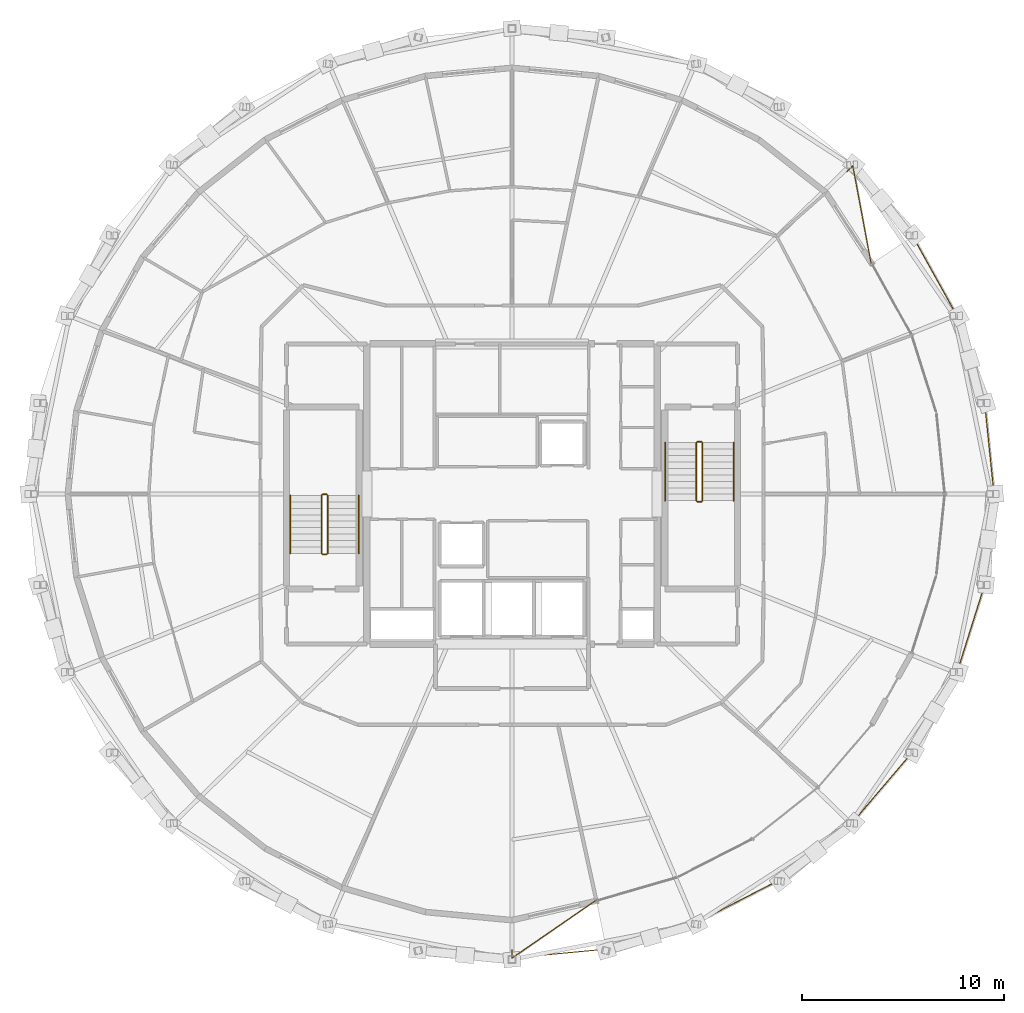
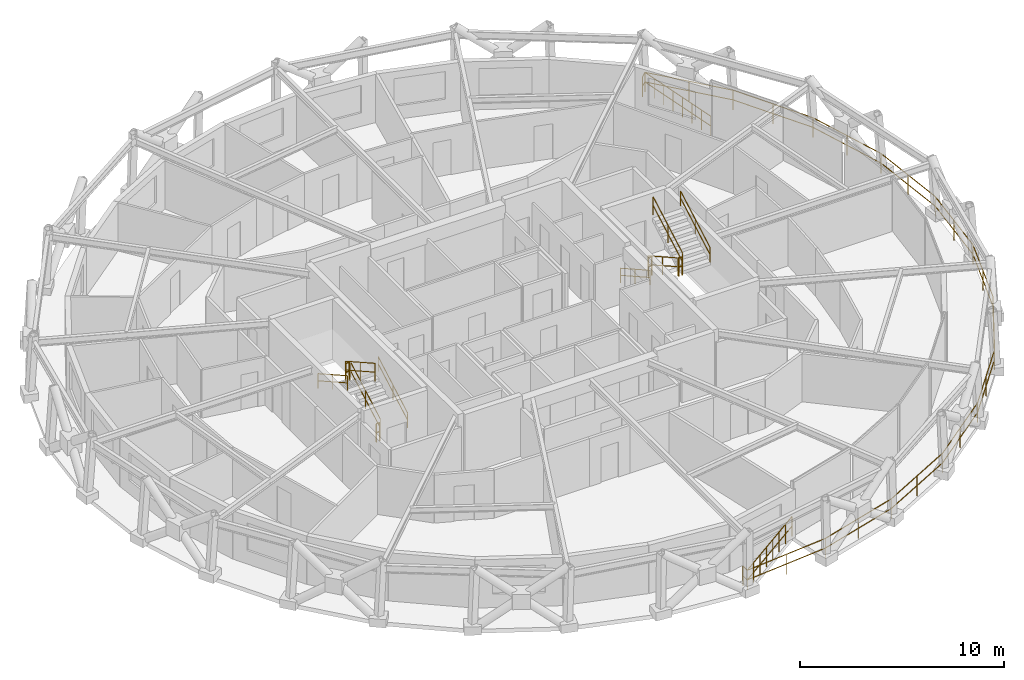
# One storey, part 17 of 17: 15 railings.
"""IFC4 building model written with IfcOpenShell, lengths in metres."""

from ifc_helpers import new_model, si_unit, direction, frame, origin, origin_2d, place, context, subcontext, project, spatial, circle, extrude, material, type_object, element, save


model = new_model("IFC4")

# Units and contexts
model_context = context("Model", 3, precision=1e-05, world=origin(), true_north=direction((0.0, 1.0)))
body_context = subcontext(model_context, "Body", "Model", "MODEL_VIEW")
ifc_project = project(units=[si_unit("LENGTHUNIT", "METRE"), si_unit("AREAUNIT", "SQUARE_METRE"), si_unit("VOLUMEUNIT", "CUBIC_METRE"), si_unit("PLANEANGLEUNIT", "RADIAN"), si_unit("MASSUNIT", "GRAM", prefix="KILO")], contexts=[model_context])

# Site, building, storey
site_placement = place(None, origin())
site = spatial("IfcSite", under=ifc_project, at=site_placement, CompositionType="ELEMENT")
building_placement = place(site_placement, origin())
building = spatial("IfcBuilding", under=site, at=building_placement, Name="Veldorina Hangang Commons", CompositionType="ELEMENT")
storey_placement = place(building_placement, frame((0.0, 0.0, 236.39990234375)))
storey = spatial("IfcBuildingStorey", under=building, at=storey_placement, Name="L61", CompositionType="ELEMENT", Elevation=236.39990234375)

# Railings
ifc_material_1 = material(Name="Glass Laminated Safety Balustrade", Category="glass")
railing_type_1 = type_object("IfcRailingType", Name="RL-BAL-LOGGIA", PredefinedType="BALUSTRADE", material=ifc_material_1)
railing_1_placement = place(storey_placement, frame((32.0, 1.393798828125, 0.0)))
element("IfcRailing", 1, at=railing_1_placement, inside=storey, type_object=railing_type_1, Name="L61 sky-garden loggia end balustrade A", PredefinedType="BALUSTRADE", context=body_context, shape_type="SweptSolid", body=[
    extrude(circle(Radius=0.02392578125, at=origin_2d()), frame((0.0, 0.0, 1.17578125), z_axis=(0.0, -1.0, 0.0), x_axis=(1.0, 0.0, 0.0)), (0.0, 0.0, 1.0), 0.419921875),
    extrude(circle(Radius=0.02392578125, at=origin_2d()), frame((0.0, 0.0, 0.60009765625), z_axis=(0.0, -1.0, 0.0), x_axis=(1.0, 0.0, 0.0)), (0.0, 0.0, 1.0), 0.419921875),
    extrude(circle(Radius=0.02392578125, at=origin_2d()), frame((0.0, -0.419921875, 1.17578125), z_axis=(0.8240531543, 0.566512487849, 0.0), x_axis=(-0.566512487849, 0.8240531543, 0.0)), (0.0, 0.0, 1.0), 5.074462890625),
    extrude(circle(Radius=0.02392578125, at=origin_2d()), frame((0.0, -0.419921875, 0.60009765625), z_axis=(0.8240531543, 0.566512487849, 0.0), x_axis=(-0.566512487849, 0.8240531543, 0.0)), (0.0, 0.0, 1.0), 5.074462890625),
    extrude(circle(Radius=0.02099609375, at=origin_2d()), origin(), (0.0, 0.0, 1.0), 1.15185546875),
    extrude(circle(Radius=0.02099609375, at=origin_2d()), frame((0.0, -0.419921875, 0.0)), (0.0, 0.0, 1.0), 1.15185546875),
    extrude(circle(Radius=0.02099609375, at=origin_2d()), frame((0.597412109375, -0.00927734375, 0.0)), (0.0, 0.0, 1.0), 1.15185546875),
    extrude(circle(Radius=0.02099609375, at=origin_2d()), frame((1.19482421875, 0.4013671875, 0.0)), (0.0, 0.0, 1.0), 1.15185546875),
    extrude(circle(Radius=0.02099609375, at=origin_2d()), frame((1.792236328125, 0.81201171875, 0.0)), (0.0, 0.0, 1.0), 1.15185546875),
    extrude(circle(Radius=0.02099609375, at=origin_2d()), frame((2.389404296875, 1.222900390625, 0.0)), (0.0, 0.0, 1.0), 1.15185546875),
    extrude(circle(Radius=0.02099609375, at=origin_2d()), frame((2.98681640625, 1.633544921875, 0.0)), (0.0, 0.0, 1.0), 1.15185546875),
    extrude(circle(Radius=0.02099609375, at=origin_2d()), frame((3.584228515625, 2.044189453125, 0.0)), (0.0, 0.0, 1.0), 1.15185546875),
    extrude(circle(Radius=0.02099609375, at=origin_2d()), frame((4.181640625, 2.454833984375, 0.0)), (0.0, 0.0, 1.0), 1.15185546875),
])
railing_2_placement = place(storey_placement, frame((48.607666015625, 39.99169921875, 0.0)))
element("IfcRailing", 2, at=railing_2_placement, inside=storey, type_object=railing_type_1, Name="L61 sky-garden loggia end balustrade B", PredefinedType="BALUSTRADE", context=body_context, shape_type="SweptSolid", body=[
    extrude(circle(Radius=0.02392578125, at=origin_2d()), frame((0.0, 0.0, 1.17578125), z_axis=(0.720632020225, 0.693317742039, 0.0), x_axis=(-0.693317742039, 0.720632020225, 0.0)), (0.0, 0.0, 1.0), 0.420166015625),
    extrude(circle(Radius=0.02392578125, at=origin_2d()), frame((0.0, 0.0, 0.60009765625), z_axis=(0.720632020225, 0.693317742039, 0.0), x_axis=(-0.693317742039, 0.720632020225, 0.0)), (0.0, 0.0, 1.0), 0.420166015625),
    extrude(circle(Radius=0.02392578125, at=origin_2d()), frame((0.302734375, 0.291259765625, 1.17578125), z_axis=(0.184318298678, -0.982866605788, 0.0), x_axis=(0.982866605788, 0.184318298678, 0.0)), (0.0, 0.0, 1.0), 4.95263671875),
    extrude(circle(Radius=0.02392578125, at=origin_2d()), frame((0.302734375, 0.291259765625, 0.60009765625), z_axis=(0.184318298678, -0.982866605788, 0.0), x_axis=(0.982866605788, 0.184318298678, 0.0)), (0.0, 0.0, 1.0), 4.95263671875),
    extrude(circle(Radius=0.02099609375, at=origin_2d()), origin(), (0.0, 0.0, 1.0), 1.15185546875),
    extrude(circle(Radius=0.02099609375, at=origin_2d()), frame((0.302734375, 0.291259765625, 0.0)), (0.0, 0.0, 1.0), 1.15185546875),
    extrude(circle(Radius=0.02099609375, at=origin_2d()), frame((0.43310546875, -0.404052734375, 0.0)), (0.0, 0.0, 1.0), 1.15185546875),
    extrude(circle(Radius=0.02099609375, at=origin_2d()), frame((0.5634765625, -1.099609375, 0.0)), (0.0, 0.0, 1.0), 1.15185546875),
    extrude(circle(Radius=0.02099609375, at=origin_2d()), frame((0.69384765625, -1.794921875, 0.0)), (0.0, 0.0, 1.0), 1.15185546875),
    extrude(circle(Radius=0.02099609375, at=origin_2d()), frame((0.824462890625, -2.490234375, 0.0)), (0.0, 0.0, 1.0), 1.15185546875),
    extrude(circle(Radius=0.02099609375, at=origin_2d()), frame((0.954833984375, -3.185546875, 0.0)), (0.0, 0.0, 1.0), 1.15185546875),
    extrude(circle(Radius=0.02099609375, at=origin_2d()), frame((1.085205078125, -3.881103515625, 0.0)), (0.0, 0.0, 1.0), 1.15185546875),
    extrude(circle(Radius=0.02099609375, at=origin_2d()), frame((1.215576171875, -4.576416015625, 0.0)), (0.0, 0.0, 1.0), 1.15185546875),
])
railing_3_placement = place(storey_placement, frame((32.0, 0.973876953125, 0.0)))
element("IfcRailing", 3, at=railing_3_placement, inside=storey, type_object=railing_type_1, Name="L61 sky-garden loggia outer balustrade", PredefinedType="BALUSTRADE", context=body_context, shape_type="SweptSolid", body=[
    extrude(circle(Radius=0.02392578125, at=origin_2d()), frame((0.0, 0.0, 1.17578125), z_axis=(0.995534257306, 0.094400966782, 0.0), x_axis=(-0.094400966782, 0.995534257306, 0.0)), (0.0, 0.0, 1.0), 4.686279296875),
    extrude(circle(Radius=0.02392578125, at=origin_2d()), frame((0.0, 0.0, 0.60009765625), z_axis=(0.995534257306, 0.094400966782, 0.0), x_axis=(-0.094400966782, 0.995534257306, 0.0)), (0.0, 0.0, 1.0), 4.686279296875),
    extrude(circle(Radius=0.02392578125, at=origin_2d()), frame((4.665283203125, 0.4423828125, 1.17578125), z_axis=(0.959906918321, 0.280318940066, 0.0), x_axis=(-0.280318940066, 0.959906918321, 0.0)), (0.0, 0.0, 1.0), 4.67333984375),
    extrude(circle(Radius=0.02392578125, at=origin_2d()), frame((4.665283203125, 0.4423828125, 0.60009765625), z_axis=(0.959906918321, 0.280318940066, 0.0), x_axis=(-0.280318940066, 0.959906918321, 0.0)), (0.0, 0.0, 1.0), 4.67333984375),
    extrude(circle(Radius=0.02392578125, at=origin_2d()), frame((9.1513671875, 1.75244140625, 1.17578125), z_axis=(0.889190159426, 0.457537823988, 0.0), x_axis=(-0.457537823988, 0.889190159426, 0.0)), (0.0, 0.0, 1.0), 4.649658203125),
    extrude(circle(Radius=0.02392578125, at=origin_2d()), frame((9.1513671875, 1.75244140625, 0.60009765625), z_axis=(0.889190159426, 0.457537823988, 0.0), x_axis=(-0.457537823988, 0.889190159426, 0.0)), (0.0, 0.0, 1.0), 4.649658203125),
    extrude(circle(Radius=0.02392578125, at=origin_2d()), frame((13.285888671875, 3.8798828125, 1.17578125), z_axis=(0.784690608512, 0.619887609904, 0.0), x_axis=(-0.619887609904, 0.784690608512, 0.0)), (0.0, 0.0, 1.0), 4.619140625),
    extrude(circle(Radius=0.02392578125, at=origin_2d()), frame((13.285888671875, 3.8798828125, 0.60009765625), z_axis=(0.784690608512, 0.619887609904, 0.0), x_axis=(-0.619887609904, 0.784690608512, 0.0)), (0.0, 0.0, 1.0), 4.619140625),
    extrude(circle(Radius=0.02392578125, at=origin_2d()), frame((16.910400390625, 6.7431640625, 1.17578125), z_axis=(0.648754396994, 0.760997853073, 0.0), x_axis=(-0.760997853073, 0.648754396994, 0.0)), (0.0, 0.0, 1.0), 4.585205078125),
    extrude(circle(Radius=0.02392578125, at=origin_2d()), frame((16.910400390625, 6.7431640625, 0.60009765625), z_axis=(0.648754396994, 0.760997853073, 0.0), x_axis=(-0.760997853073, 0.648754396994, 0.0)), (0.0, 0.0, 1.0), 4.585205078125),
    extrude(circle(Radius=0.02392578125, at=origin_2d()), frame((19.885009765625, 10.232421875, 1.17578125), z_axis=(0.485442615763, 0.874268532432, 0.0), x_axis=(-0.874268532432, 0.485442615763, 0.0)), (0.0, 0.0, 1.0), 4.553466796875),
    extrude(circle(Radius=0.02392578125, at=origin_2d()), frame((19.885009765625, 10.232421875, 0.60009765625), z_axis=(0.485442615763, 0.874268532432, 0.0), x_axis=(-0.874268532432, 0.485442615763, 0.0)), (0.0, 0.0, 1.0), 4.553466796875),
    extrude(circle(Radius=0.02392578125, at=origin_2d()), frame((22.095458984375, 14.21337890625, 1.17578125), z_axis=(0.300514735692, 0.953777171897, 0.0), x_axis=(-0.953777171897, 0.300514735692, 0.0)), (0.0, 0.0, 1.0), 4.529296875),
    extrude(circle(Radius=0.02392578125, at=origin_2d()), frame((22.095458984375, 14.21337890625, 0.60009765625), z_axis=(0.300514735692, 0.953777171897, 0.0), x_axis=(-0.953777171897, 0.300514735692, 0.0)), (0.0, 0.0, 1.0), 4.529296875),
    extrude(circle(Radius=0.02392578125, at=origin_2d()), frame((23.45654296875, 18.533203125, 1.17578125), z_axis=(0.101788825318, 0.994806028852, 0.0), x_axis=(-0.994806028852, 0.101788825318, 0.0)), (0.0, 0.0, 1.0), 4.516357421875),
    extrude(circle(Radius=0.02392578125, at=origin_2d()), frame((23.45654296875, 18.533203125, 0.60009765625), z_axis=(0.101788825318, 0.994806028852, 0.0), x_axis=(-0.994806028852, 0.101788825318, 0.0)), (0.0, 0.0, 1.0), 4.516357421875),
    extrude(circle(Radius=0.02392578125, at=origin_2d()), frame((23.916259765625, 23.026123046875, 1.17578125), z_axis=(-0.101788825318, 0.994806028852, 0.0), x_axis=(-0.994806028852, -0.101788825318, 0.0)), (0.0, 0.0, 1.0), 4.516357421875),
    extrude(circle(Radius=0.02392578125, at=origin_2d()), frame((23.916259765625, 23.026123046875, 0.60009765625), z_axis=(-0.101788825318, 0.994806028852, 0.0), x_axis=(-0.994806028852, -0.101788825318, 0.0)), (0.0, 0.0, 1.0), 4.516357421875),
    extrude(circle(Radius=0.02392578125, at=origin_2d()), frame((23.45654296875, 27.51904296875, 1.17578125), z_axis=(-0.300514735692, 0.953777171897, 0.0), x_axis=(-0.953777171897, -0.300514735692, 0.0)), (0.0, 0.0, 1.0), 4.529296875),
    extrude(circle(Radius=0.02392578125, at=origin_2d()), frame((23.45654296875, 27.51904296875, 0.60009765625), z_axis=(-0.300514735692, 0.953777171897, 0.0), x_axis=(-0.953777171897, -0.300514735692, 0.0)), (0.0, 0.0, 1.0), 4.529296875),
    extrude(circle(Radius=0.02392578125, at=origin_2d()), frame((22.095458984375, 31.8388671875, 1.17578125), z_axis=(-0.485442615763, 0.874268532432, 0.0), x_axis=(-0.874268532432, -0.485442615763, 0.0)), (0.0, 0.0, 1.0), 4.553466796875),
    extrude(circle(Radius=0.02392578125, at=origin_2d()), frame((22.095458984375, 31.8388671875, 0.60009765625), z_axis=(-0.485442615763, 0.874268532432, 0.0), x_axis=(-0.874268532432, -0.485442615763, 0.0)), (0.0, 0.0, 1.0), 4.553466796875),
    extrude(circle(Radius=0.02392578125, at=origin_2d()), frame((19.885009765625, 35.81982421875, 1.17578125), z_axis=(-0.648754396994, 0.760997853073, 0.0), x_axis=(-0.760997853073, -0.648754396994, 0.0)), (0.0, 0.0, 1.0), 4.585205078125),
    extrude(circle(Radius=0.02392578125, at=origin_2d()), frame((19.885009765625, 35.81982421875, 0.60009765625), z_axis=(-0.648754396994, 0.760997853073, 0.0), x_axis=(-0.760997853073, -0.648754396994, 0.0)), (0.0, 0.0, 1.0), 4.585205078125),
    extrude(circle(Radius=0.02099609375, at=origin_2d()), origin(), (0.0, 0.0, 1.0), 1.15185546875),
    extrude(circle(Radius=0.02099609375, at=origin_2d()), frame((2.33251953125, 0.22119140625, 0.0)), (0.0, 0.0, 1.0), 1.15185546875),
    extrude(circle(Radius=0.02099609375, at=origin_2d()), frame((4.665283203125, 0.4423828125, 0.0)), (0.0, 0.0, 1.0), 1.15185546875),
    extrude(circle(Radius=0.02099609375, at=origin_2d()), frame((6.908203125, 1.097412109375, 0.0)), (0.0, 0.0, 1.0), 1.15185546875),
    extrude(circle(Radius=0.02099609375, at=origin_2d()), frame((9.1513671875, 1.75244140625, 0.0)), (0.0, 0.0, 1.0), 1.15185546875),
    extrude(circle(Radius=0.02099609375, at=origin_2d()), frame((11.21875, 2.816162109375, 0.0)), (0.0, 0.0, 1.0), 1.15185546875),
    extrude(circle(Radius=0.02099609375, at=origin_2d()), frame((13.285888671875, 3.8798828125, 0.0)), (0.0, 0.0, 1.0), 1.15185546875),
    extrude(circle(Radius=0.02099609375, at=origin_2d()), frame((15.09814453125, 5.3115234375, 0.0)), (0.0, 0.0, 1.0), 1.15185546875),
    extrude(circle(Radius=0.02099609375, at=origin_2d()), frame((16.910400390625, 6.7431640625, 0.0)), (0.0, 0.0, 1.0), 1.15185546875),
    extrude(circle(Radius=0.02099609375, at=origin_2d()), frame((18.397705078125, 8.48779296875, 0.0)), (0.0, 0.0, 1.0), 1.15185546875),
    extrude(circle(Radius=0.02099609375, at=origin_2d()), frame((19.885009765625, 10.232421875, 0.0)), (0.0, 0.0, 1.0), 1.15185546875),
    extrude(circle(Radius=0.02099609375, at=origin_2d()), frame((20.990234375, 12.222900390625, 0.0)), (0.0, 0.0, 1.0), 1.15185546875),
    extrude(circle(Radius=0.02099609375, at=origin_2d()), frame((22.095458984375, 14.21337890625, 0.0)), (0.0, 0.0, 1.0), 1.15185546875),
    extrude(circle(Radius=0.02099609375, at=origin_2d()), frame((22.77587890625, 16.373291015625, 0.0)), (0.0, 0.0, 1.0), 1.15185546875),
    extrude(circle(Radius=0.02099609375, at=origin_2d()), frame((23.45654296875, 18.533203125, 0.0)), (0.0, 0.0, 1.0), 1.15185546875),
    extrude(circle(Radius=0.02099609375, at=origin_2d()), frame((23.6865234375, 20.77978515625, 0.0)), (0.0, 0.0, 1.0), 1.15185546875),
    extrude(circle(Radius=0.02099609375, at=origin_2d()), frame((23.916259765625, 23.026123046875, 0.0)), (0.0, 0.0, 1.0), 1.15185546875),
    extrude(circle(Radius=0.02099609375, at=origin_2d()), frame((23.6865234375, 25.2724609375, 0.0)), (0.0, 0.0, 1.0), 1.15185546875),
    extrude(circle(Radius=0.02099609375, at=origin_2d()), frame((23.45654296875, 27.51904296875, 0.0)), (0.0, 0.0, 1.0), 1.15185546875),
    extrude(circle(Radius=0.02099609375, at=origin_2d()), frame((22.77587890625, 29.678955078125, 0.0)), (0.0, 0.0, 1.0), 1.15185546875),
    extrude(circle(Radius=0.02099609375, at=origin_2d()), frame((22.095458984375, 31.8388671875, 0.0)), (0.0, 0.0, 1.0), 1.15185546875),
    extrude(circle(Radius=0.02099609375, at=origin_2d()), frame((20.990234375, 33.829345703125, 0.0)), (0.0, 0.0, 1.0), 1.15185546875),
    extrude(circle(Radius=0.02099609375, at=origin_2d()), frame((19.885009765625, 35.81982421875, 0.0)), (0.0, 0.0, 1.0), 1.15185546875),
    extrude(circle(Radius=0.02099609375, at=origin_2d()), frame((18.397705078125, 37.564453125, 0.0)), (0.0, 0.0, 1.0), 1.15185546875),
    extrude(circle(Radius=0.02099609375, at=origin_2d()), frame((16.910400390625, 39.30908203125, 0.0)), (0.0, 0.0, 1.0), 1.15185546875),
])
ifc_material_2 = material(Name="Steel Painted Balustrade", Category="steel")
railing_type_2 = type_object("IfcRailingType", Name="RL-GRD-STAIR", PredefinedType="GUARDRAIL", material=ifc_material_2)
railing_4_placement = place(storey_placement, frame((22.85009765625, 21.050048828125, 0.18017578125)))
element("IfcRailing", 4, at=railing_4_placement, inside=storey, type_object=railing_type_2, Name="L61 ST-1 stair guard 1", PredefinedType="GUARDRAIL", context=body_context, shape_type="SweptSolid", body=[
    extrude(circle(Radius=0.02392578125, at=origin_2d()), frame((0.0, 0.0, 1.076171875), z_axis=(0.0, 0.871583430097, 0.490247207417), x_axis=(-1.0, 0.0, 0.0)), (0.0, 0.0, 1.0), 3.30419921875),
    extrude(circle(Radius=0.02392578125, at=origin_2d()), frame((0.0, 0.0, 0.550048828125), z_axis=(0.0, 0.871583430097, 0.490247207417), x_axis=(-1.0, 0.0, 0.0)), (0.0, 0.0, 1.0), 3.30419921875),
    extrude(circle(Radius=0.02099609375, at=origin_2d()), origin(), (0.0, 0.0, 1.0), 1.052001953125),
    extrude(circle(Radius=0.02099609375, at=origin_2d()), frame((0.0, 1.43994140625, 0.81005859375)), (0.0, 0.0, 1.0), 1.052001953125),
    extrude(circle(Radius=0.02099609375, at=origin_2d()), frame((0.0, 2.8798828125, 1.619873046875)), (0.0, 0.0, 1.0), 1.052001953125),
])
railing_5_placement = place(storey_placement, frame((22.800048828125, 23.97998046875, 1.800048828125)))
element("IfcRailing", 5, at=railing_5_placement, inside=storey, type_object=railing_type_2, Name="L61 ST-1 stair guard 2", PredefinedType="GUARDRAIL", context=body_context, shape_type="SweptSolid", body=[
    extrude(circle(Radius=0.02392578125, at=origin_2d()), frame((0.0, 0.0, 1.076171875), z_axis=(-1.0, 0.0, 0.0), x_axis=(0.0, -1.0, 0.0)), (0.0, 0.0, 1.0), 0.199951171875),
    extrude(circle(Radius=0.02392578125, at=origin_2d()), frame((0.0, 0.0, 0.550048828125), z_axis=(-1.0, 0.0, 0.0), x_axis=(0.0, -1.0, 0.0)), (0.0, 0.0, 1.0), 0.199951171875),
    extrude(circle(Radius=0.02099609375, at=origin_2d()), origin(), (0.0, 0.0, 1.0), 1.052001953125),
    extrude(circle(Radius=0.02099609375, at=origin_2d()), frame((-0.199951171875, 0.0, 0.0)), (0.0, 0.0, 1.0), 1.052001953125),
])
railing_6_placement = place(storey_placement, frame((22.550048828125, 23.929931640625, 1.97998046875)))
element("IfcRailing", 6, at=railing_6_placement, inside=storey, type_object=railing_type_2, Name="L61 ST-1 stair guard 3", PredefinedType="GUARDRAIL", context=body_context, shape_type="SweptSolid", body=[
    extrude(circle(Radius=0.02392578125, at=origin_2d()), frame((0.0, 0.0, 1.076171875), z_axis=(0.0, -0.87155185771, 0.490303333991), x_axis=(1.0, 0.0, 0.0)), (0.0, 0.0, 1.0), 3.30419921875),
    extrude(circle(Radius=0.02392578125, at=origin_2d()), frame((0.0, 0.0, 0.550048828125), z_axis=(0.0, -0.87155185771, 0.490303333991), x_axis=(1.0, 0.0, 0.0)), (0.0, 0.0, 1.0), 3.30419921875),
    extrude(circle(Radius=0.02099609375, at=origin_2d()), origin(), (0.0, 0.0, 1.0), 1.052001953125),
    extrude(circle(Radius=0.02099609375, at=origin_2d()), frame((0.0, -1.43994140625, 0.81005859375)), (0.0, 0.0, 1.0), 1.052001953125),
    extrude(circle(Radius=0.02099609375, at=origin_2d()), frame((0.0, -2.8798828125, 1.6201171875)), (0.0, 0.0, 1.0), 1.052001953125),
])
railing_7_placement = place(storey_placement, frame((22.800048828125, 21.0, 0.0)))
element("IfcRailing", 7, at=railing_7_placement, inside=storey, type_object=railing_type_2, Name="L61 ST-1 stair guard 4", PredefinedType="GUARDRAIL", context=body_context, shape_type="SweptSolid", body=[
    extrude(circle(Radius=0.02392578125, at=origin_2d()), frame((0.0, 0.0, 1.076171875), z_axis=(-1.0, 0.0, 0.0), x_axis=(0.0, -1.0, 0.0)), (0.0, 0.0, 1.0), 0.199951171875),
    extrude(circle(Radius=0.02392578125, at=origin_2d()), frame((0.0, 0.0, 0.550048828125), z_axis=(-1.0, 0.0, 0.0), x_axis=(0.0, -1.0, 0.0)), (0.0, 0.0, 1.0), 0.199951171875),
    extrude(circle(Radius=0.02099609375, at=origin_2d()), origin(), (0.0, 0.0, 1.0), 1.052001953125),
    extrude(circle(Radius=0.02099609375, at=origin_2d()), frame((-0.199951171875, 0.0, 0.0)), (0.0, 0.0, 1.0), 1.052001953125),
])
railing_8_placement = place(storey_placement, frame((41.14990234375, 26.550048828125, 0.18017578125)))
element("IfcRailing", 8, at=railing_8_placement, inside=storey, type_object=railing_type_2, Name="L61 ST-2 stair guard 1", PredefinedType="GUARDRAIL", context=body_context, shape_type="SweptSolid", body=[
    extrude(circle(Radius=0.02392578125, at=origin_2d()), frame((0.0, 0.0, 1.076171875), z_axis=(0.0, -0.871601186807, 0.490215637405), x_axis=(1.0, 0.0, 0.0)), (0.0, 0.0, 1.0), 3.304443359375),
    extrude(circle(Radius=0.02392578125, at=origin_2d()), frame((0.0, 0.0, 0.550048828125), z_axis=(0.0, -0.871601186807, 0.490215637405), x_axis=(1.0, 0.0, 0.0)), (0.0, 0.0, 1.0), 3.304443359375),
    extrude(circle(Radius=0.02099609375, at=origin_2d()), origin(), (0.0, 0.0, 1.0), 1.052001953125),
    extrude(circle(Radius=0.02099609375, at=origin_2d()), frame((0.0, -1.43994140625, 0.81005859375)), (0.0, 0.0, 1.0), 1.052001953125),
    extrude(circle(Radius=0.02099609375, at=origin_2d()), frame((0.0, -2.880126953125, 1.619873046875)), (0.0, 0.0, 1.0), 1.052001953125),
])
railing_9_placement = place(storey_placement, frame((41.199951171875, 23.6201171875, 1.800048828125)))
element("IfcRailing", 9, at=railing_9_placement, inside=storey, type_object=railing_type_2, Name="L61 ST-2 stair guard 2", PredefinedType="GUARDRAIL", context=body_context, shape_type="SweptSolid", body=[
    extrude(circle(Radius=0.02392578125, at=origin_2d()), frame((0.0, 0.0, 1.076171875), z_axis=(1.0, 0.0, 0.0), x_axis=(0.0, 1.0, 0.0)), (0.0, 0.0, 1.0), 0.199951171875),
    extrude(circle(Radius=0.02392578125, at=origin_2d()), frame((0.0, 0.0, 0.550048828125), z_axis=(1.0, 0.0, 0.0), x_axis=(0.0, 1.0, 0.0)), (0.0, 0.0, 1.0), 0.199951171875),
    extrude(circle(Radius=0.02099609375, at=origin_2d()), origin(), (0.0, 0.0, 1.0), 1.052001953125),
    extrude(circle(Radius=0.02099609375, at=origin_2d()), frame((0.199951171875, 0.0, 0.0)), (0.0, 0.0, 1.0), 1.052001953125),
])
railing_10_placement = place(storey_placement, frame((41.449951171875, 23.669921875, 1.97998046875)))
element("IfcRailing", 10, at=railing_10_placement, inside=storey, type_object=railing_type_2, Name="L61 ST-2 stair guard 3", PredefinedType="GUARDRAIL", context=body_context, shape_type="SweptSolid", body=[
    extrude(circle(Radius=0.02392578125, at=origin_2d()), frame((0.0, 0.0, 1.076171875), z_axis=(0.0, 0.871569617843, 0.490271762652), x_axis=(-1.0, 0.0, 0.0)), (0.0, 0.0, 1.0), 3.304443359375),
    extrude(circle(Radius=0.02392578125, at=origin_2d()), frame((0.0, 0.0, 0.550048828125), z_axis=(0.0, 0.871569617843, 0.490271762652), x_axis=(-1.0, 0.0, 0.0)), (0.0, 0.0, 1.0), 3.304443359375),
    extrude(circle(Radius=0.02099609375, at=origin_2d()), origin(), (0.0, 0.0, 1.0), 1.052001953125),
    extrude(circle(Radius=0.02099609375, at=origin_2d()), frame((0.0, 1.43994140625, 0.81005859375)), (0.0, 0.0, 1.0), 1.052001953125),
    extrude(circle(Radius=0.02099609375, at=origin_2d()), frame((0.0, 2.880126953125, 1.6201171875)), (0.0, 0.0, 1.0), 1.052001953125),
])
railing_11_placement = place(storey_placement, frame((41.199951171875, 26.60009765625, 0.0)))
element("IfcRailing", 11, at=railing_11_placement, inside=storey, type_object=railing_type_2, Name="L61 ST-2 stair guard 4", PredefinedType="GUARDRAIL", context=body_context, shape_type="SweptSolid", body=[
    extrude(circle(Radius=0.02392578125, at=origin_2d()), frame((0.0, 0.0, 1.076171875), z_axis=(1.0, 0.0, 0.0), x_axis=(0.0, 1.0, 0.0)), (0.0, 0.0, 1.0), 0.199951171875),
    extrude(circle(Radius=0.02392578125, at=origin_2d()), frame((0.0, 0.0, 0.550048828125), z_axis=(1.0, 0.0, 0.0), x_axis=(0.0, 1.0, 0.0)), (0.0, 0.0, 1.0), 0.199951171875),
    extrude(circle(Radius=0.02099609375, at=origin_2d()), origin(), (0.0, 0.0, 1.0), 1.052001953125),
    extrude(circle(Radius=0.02099609375, at=origin_2d()), frame((0.199951171875, 0.0, 0.0)), (0.0, 0.0, 1.0), 1.052001953125),
])
ifc_material_3 = material(Name="Stainless Steel Brushed 316", Category="steel")
railing_type_3 = type_object("IfcRailingType", Name="RL-HND-STAIR", PredefinedType="HANDRAIL", material=ifc_material_3)
railing_12_placement = place(storey_placement, frame((24.39990234375, 21.050048828125, 0.18017578125)))
element("IfcRailing", 12, at=railing_12_placement, inside=storey, type_object=railing_type_3, Name="L61 ST-1 stair handrail 1", PredefinedType="HANDRAIL", context=body_context, shape_type="SweptSolid", body=[
    extrude(circle(Radius=0.02392578125, at=origin_2d()), frame((0.0, 0.0, 0.8759765625), z_axis=(0.0, 0.871583430097, 0.490247207417), x_axis=(-1.0, 0.0, 0.0)), (0.0, 0.0, 1.0), 3.30419921875),
    extrude(circle(Radius=0.02392578125, at=origin_2d()), frame((0.0, 0.0, 0.449951171875), z_axis=(0.0, 0.871583430097, 0.490247207417), x_axis=(-1.0, 0.0, 0.0)), (0.0, 0.0, 1.0), 3.30419921875),
    extrude(circle(Radius=0.02099609375, at=origin_2d()), origin(), (0.0, 0.0, 1.0), 0.851806640625),
    extrude(circle(Radius=0.02099609375, at=origin_2d()), frame((0.0, 1.43994140625, 0.81005859375)), (0.0, 0.0, 1.0), 0.851806640625),
    extrude(circle(Radius=0.02099609375, at=origin_2d()), frame((0.0, 2.8798828125, 1.619873046875)), (0.0, 0.0, 1.0), 0.851806640625),
])
railing_13_placement = place(storey_placement, frame((21.0, 23.929931640625, 1.97998046875)))
element("IfcRailing", 13, at=railing_13_placement, inside=storey, type_object=railing_type_3, Name="L61 ST-1 stair handrail 2", PredefinedType="HANDRAIL", context=body_context, shape_type="SweptSolid", body=[
    extrude(circle(Radius=0.02392578125, at=origin_2d()), frame((0.0, 0.0, 0.8759765625), z_axis=(0.0, -0.87155185771, 0.490303333991), x_axis=(1.0, 0.0, 0.0)), (0.0, 0.0, 1.0), 3.30419921875),
    extrude(circle(Radius=0.02392578125, at=origin_2d()), frame((0.0, 0.0, 0.449951171875), z_axis=(0.0, -0.87155185771, 0.490303333991), x_axis=(1.0, 0.0, 0.0)), (0.0, 0.0, 1.0), 3.30419921875),
    extrude(circle(Radius=0.02099609375, at=origin_2d()), origin(), (0.0, 0.0, 1.0), 0.851806640625),
    extrude(circle(Radius=0.02099609375, at=origin_2d()), frame((0.0, -1.43994140625, 0.81005859375)), (0.0, 0.0, 1.0), 0.851806640625),
    extrude(circle(Radius=0.02099609375, at=origin_2d()), frame((0.0, -2.8798828125, 1.6201171875)), (0.0, 0.0, 1.0), 0.851806640625),
])
railing_14_placement = place(storey_placement, frame((39.60009765625, 26.550048828125, 0.18017578125)))
element("IfcRailing", 14, at=railing_14_placement, inside=storey, type_object=railing_type_3, Name="L61 ST-2 stair handrail 1", PredefinedType="HANDRAIL", context=body_context, shape_type="SweptSolid", body=[
    extrude(circle(Radius=0.02392578125, at=origin_2d()), frame((0.0, 0.0, 0.8759765625), z_axis=(0.0, -0.871601186807, 0.490215637405), x_axis=(1.0, 0.0, 0.0)), (0.0, 0.0, 1.0), 3.304443359375),
    extrude(circle(Radius=0.02392578125, at=origin_2d()), frame((0.0, 0.0, 0.449951171875), z_axis=(0.0, -0.871601186807, 0.490215637405), x_axis=(1.0, 0.0, 0.0)), (0.0, 0.0, 1.0), 3.304443359375),
    extrude(circle(Radius=0.02099609375, at=origin_2d()), origin(), (0.0, 0.0, 1.0), 0.851806640625),
    extrude(circle(Radius=0.02099609375, at=origin_2d()), frame((0.0, -1.43994140625, 0.81005859375)), (0.0, 0.0, 1.0), 0.851806640625),
    extrude(circle(Radius=0.02099609375, at=origin_2d()), frame((0.0, -2.880126953125, 1.619873046875)), (0.0, 0.0, 1.0), 0.851806640625),
])
railing_15_placement = place(storey_placement, frame((43.0, 23.669921875, 1.97998046875)))
element("IfcRailing", 15, at=railing_15_placement, inside=storey, type_object=railing_type_3, Name="L61 ST-2 stair handrail 2", PredefinedType="HANDRAIL", context=body_context, shape_type="SweptSolid", body=[
    extrude(circle(Radius=0.02392578125, at=origin_2d()), frame((0.0, 0.0, 0.8759765625), z_axis=(0.0, 0.871569617843, 0.490271762652), x_axis=(-1.0, 0.0, 0.0)), (0.0, 0.0, 1.0), 3.304443359375),
    extrude(circle(Radius=0.02392578125, at=origin_2d()), frame((0.0, 0.0, 0.449951171875), z_axis=(0.0, 0.871569617843, 0.490271762652), x_axis=(-1.0, 0.0, 0.0)), (0.0, 0.0, 1.0), 3.304443359375),
    extrude(circle(Radius=0.02099609375, at=origin_2d()), origin(), (0.0, 0.0, 1.0), 0.851806640625),
    extrude(circle(Radius=0.02099609375, at=origin_2d()), frame((0.0, 1.43994140625, 0.81005859375)), (0.0, 0.0, 1.0), 0.851806640625),
    extrude(circle(Radius=0.02099609375, at=origin_2d()), frame((0.0, 2.880126953125, 1.6201171875)), (0.0, 0.0, 1.0), 0.851806640625),
])

save(model, "model.ifc")
